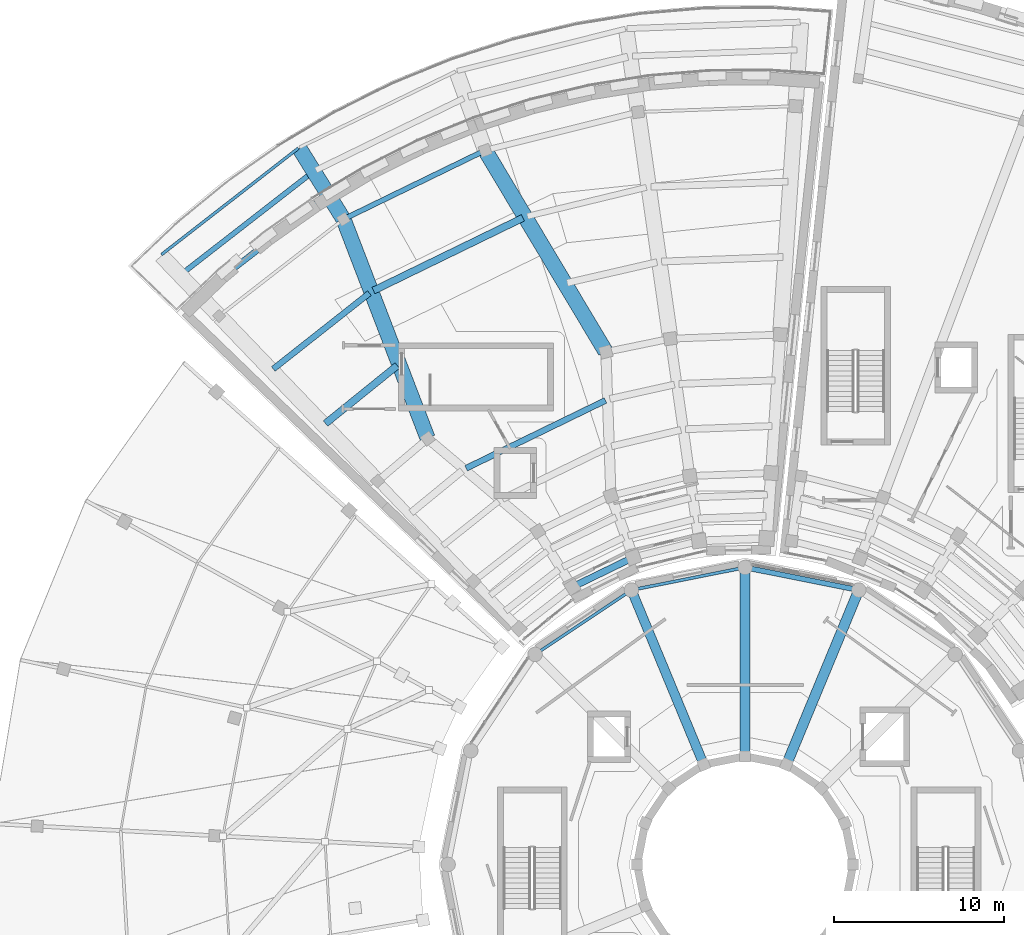
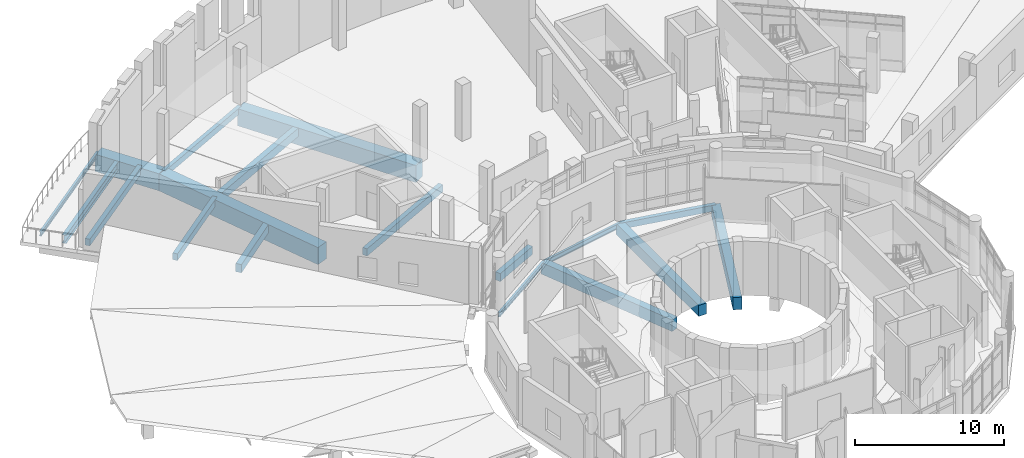
# One storey, part 14 of 49: 18 beams.
"""IFC4 building model written with IfcOpenShell, lengths in metres."""

from ifc_helpers import new_model, si_unit, direction, frame, origin, origin_2d, place, context, subcontext, project, spatial, rectangle, i_section, extrude, material, material_profile, profile_set, type_object, element, save


model = new_model("IFC4")

# Units and contexts
model_context = context("Model", 3, precision=1e-05, world=origin(), true_north=direction((0.0, 1.0)))
body_context = subcontext(model_context, "Body", "Model", "MODEL_VIEW")
ifc_project = project(units=[si_unit("LENGTHUNIT", "METRE"), si_unit("AREAUNIT", "SQUARE_METRE"), si_unit("VOLUMEUNIT", "CUBIC_METRE"), si_unit("PLANEANGLEUNIT", "RADIAN"), si_unit("MASSUNIT", "GRAM", prefix="KILO")], contexts=[model_context])

# Site, building, storey
site_placement = place(None, origin())
site = spatial("IfcSite", under=ifc_project, at=site_placement, CompositionType="ELEMENT")
building_placement = place(site_placement, origin())
building = spatial("IfcBuilding", under=site, at=building_placement, Name="Soyqirgoq Riverine Aquarium", CompositionType="ELEMENT")
storey_placement = place(building_placement, frame((0.0, 0.0, 15.0)))
storey = spatial("IfcBuildingStorey", under=building, at=storey_placement, Name="L04", CompositionType="ELEMENT", Elevation=15.0)

# Beams
ifc_material_1 = material(Name="Concrete C40/50", Category="concrete")
ifc_material_profile_1 = material_profile(ifc_material_1, rectangle(XDim=0.35009765625, YDim=0.60009765625, at=origin_2d()), Name="RC 350x600")
ifc_profile_set_1 = profile_set([ifc_material_profile_1], Name="Concrete C40/50")
beam_type_1 = type_object("IfcBeamType", Name="Beam_RC_350x600", PredefinedType="JOIST", material=ifc_profile_set_1)
beam_1_placement = place(storey_placement, frame((47.791748046875, 84.25927734375, -0.580078125), z_axis=(-0.899175148102, -0.437588908722, 0.0), x_axis=(0.437588908722, -0.899175148102, 0.0)))
element("IfcBeam", 1, at=beam_1_placement, inside=storey, type_object=beam_type_1, Name="V4 L04 Secondary Floor Joist 0717", PredefinedType="JOIST", context=body_context, shape_type="SweptSolid", body=[
    extrude(rectangle(XDim=0.35009765625, YDim=0.60009765625, at=origin_2d()), origin(), (0.0, 0.0, 1.0), 9.09521484375),
])
ifc_material_2 = material(Name="Concrete C40/50", Category="concrete")
ifc_material_profile_2 = material_profile(ifc_material_2, rectangle(XDim=0.39990234375, YDim=0.64990234375, at=origin_2d()), Name="RC 400x650")
ifc_profile_set_2 = profile_set([ifc_material_profile_2], Name="Concrete C40/50")
beam_type_2 = type_object("IfcBeamType", Name="Beam_RC_400x650", PredefinedType="BEAM", material=ifc_profile_set_2)
beam_2_placement = place(storey_placement, frame((49.38818359375, 75.020263671875, -0.60498046875), z_axis=(-0.899182237982, -0.437574339852, 0.0), x_axis=(0.437574339852, -0.899182237982, 0.0)))
element("IfcBeam", 2, at=beam_2_placement, inside=storey, type_object=beam_type_2, Name="V4 L04 Wedge Chord Beam 0698", PredefinedType="BEAM", context=body_context, shape_type="SweptSolid", body=[
    extrude(rectangle(XDim=0.39990234375, YDim=0.64990234375, at=origin_2d()), origin(), (0.0, 0.0, 1.0), 3.88037109375),
])
ifc_material_3 = material(Name="Concrete C40/50", Category="concrete")
ifc_material_profile_3 = material_profile(ifc_material_3, rectangle(XDim=0.419921875, YDim=0.679931640625, at=origin_2d()), Name="RC 420x680")
ifc_profile_set_3 = profile_set([ifc_material_profile_3], Name="Concrete C40/50")
beam_type_3 = type_object("IfcBeamType", Name="Beam_RC_420x680", PredefinedType="BEAM", material=ifc_profile_set_3)
beam_3_placement = place(storey_placement, frame((42.94287109375, 94.98583984375, -0.6201171875), z_axis=(-0.899181906839, -0.437575020326, 0.0), x_axis=(0.437575020326, -0.899181906839, 0.0)))
element("IfcBeam", 3, at=beam_3_placement, inside=storey, type_object=beam_type_3, Name="V4 L04 Secondary Floor Joist 0727", PredefinedType="BEAM", context=body_context, shape_type="SweptSolid", body=[
    extrude(rectangle(XDim=0.419921875, YDim=0.679931640625, at=origin_2d()), origin(), (0.0, 0.0, 1.0), 9.762939453125),
])
beam_4_placement = place(storey_placement, frame((35.5625, 86.310302734375, -0.6201171875), z_axis=(-0.777984399039, -0.628283594288, 0.0), x_axis=(0.628283594288, -0.777984399039, 0.0)))
element("IfcBeam", 4, at=beam_4_placement, inside=storey, type_object=beam_type_3, Name="V4 L04 Secondary Floor Joist 0728", PredefinedType="BEAM", context=body_context, shape_type="SweptSolid", body=[
    extrude(rectangle(XDim=0.419921875, YDim=0.679931640625, at=origin_2d()), origin(), (0.0, 0.0, 1.0), 5.416015625),
])
ifc_material_4 = material(Name="Concrete C40/50", Category="concrete")
ifc_material_profile_4 = material_profile(ifc_material_4, rectangle(XDim=0.550048828125, YDim=0.949951171875, at=origin_2d()), Name="RC 550x950")
ifc_profile_set_4 = profile_set([ifc_material_profile_4], Name="Concrete C40/50")
beam_type_4 = type_object("IfcBeamType", Name="Girder_RC_550x950", PredefinedType="BEAM", material=ifc_profile_set_4)
beam_5_placement = place(storey_placement, frame((53.566162109375, 62.875732421875, -0.824951171875), z_axis=(-0.382683908742, 0.923879335189, 0.0), x_axis=(-0.923879335189, -0.382683908742, 0.0)))
element("IfcBeam", 5, at=beam_5_placement, inside=storey, type_object=beam_type_4, Name="V1 L04 Gallery Radial Beam 0098", PredefinedType="BEAM", context=body_context, shape_type="SweptSolid", body=[
    extrude(rectangle(XDim=0.550048828125, YDim=0.949951171875, at=origin_2d()), origin(), (0.0, 0.0, 1.0), 11.080322265625),
])
ifc_material_5 = material(Name="Concrete C40/50", Category="concrete")
ifc_material_profile_5 = material_profile(ifc_material_5, rectangle(XDim=0.60009765625, YDim=1.0, at=origin_2d()), Name="RC 600x1000")
ifc_profile_set_5 = profile_set([ifc_material_profile_5], Name="Concrete C40/50")
beam_type_5 = type_object("IfcBeamType", Name="Girder_RC_600x1000", PredefinedType="BEAM", material=ifc_profile_set_5)
beam_6_placement = place(storey_placement, frame((58.433837890625, 62.875732421875, -0.85009765625), z_axis=(0.382683908742, 0.923879335189, 0.0), x_axis=(-0.923879335189, 0.382683908742, 0.0)))
element("IfcBeam", 6, at=beam_6_placement, inside=storey, type_object=beam_type_5, Name="V1 L04 Gallery Radial Beam 0094", PredefinedType="BEAM", context=body_context, shape_type="SweptSolid", body=[
    extrude(rectangle(XDim=0.60009765625, YDim=1.0, at=origin_2d()), origin(), (0.0, 0.0, 1.0), 11.080322265625),
])
ifc_material_6 = material(Name="Concrete C40/50", Category="concrete")
ifc_material_profile_6 = material_profile(ifc_material_6, rectangle(XDim=0.60009765625, YDim=0.89990234375, at=origin_2d()), Name="RC 600x900")
ifc_profile_set_6 = profile_set([ifc_material_profile_6], Name="Concrete C40/50")
beam_type_6 = type_object("IfcBeamType", Name="Girder_RC_600x900", PredefinedType="BEAM", material=ifc_profile_set_6)
beam_7_placement = place(storey_placement, frame((56.0, 63.360107421875, -0.800048828125), z_axis=(0.0, 1.0, 0.0), x_axis=(-1.0, 0.0, 0.0)))
element("IfcBeam", 7, at=beam_7_placement, inside=storey, type_object=beam_type_6, Name="V1 L04 Gallery Radial Beam 0096", PredefinedType="BEAM", context=body_context, shape_type="SweptSolid", body=[
    extrude(rectangle(XDim=0.60009765625, YDim=0.89990234375, at=origin_2d()), origin(), (0.0, 0.0, 1.0), 11.079833984375),
])
ifc_material_7 = material(Name="Concrete C40/50", Category="concrete")
ifc_material_profile_7 = material_profile(ifc_material_7, rectangle(XDim=0.300048828125, YDim=0.5, at=origin_2d()), Name="RC 300x500")
ifc_profile_set_7 = profile_set([ifc_material_profile_7], Name="Concrete C40/50")
beam_type_7 = type_object("IfcBeamType", Name="Spandrel_RC_300x500", PredefinedType="SPANDREL", material=ifc_profile_set_7)
beam_8_placement = place(storey_placement, frame((62.658203125, 73.12548828125, -0.60009765625), z_axis=(-0.980784073274, 0.195096390568, 0.0), x_axis=(-0.195096390568, -0.980784073274, 0.0)))
element("IfcBeam", 8, at=beam_8_placement, inside=storey, type_object=beam_type_7, Name="V1 L04 Drum Spandrel Beam 0093", PredefinedType="SPANDREL", context=body_context, shape_type="SweptSolid", body=[
    extrude(rectangle(XDim=0.300048828125, YDim=0.5, at=origin_2d()), origin(), (0.0, 0.0, 1.0), 6.768798828125),
])
beam_9_placement = place(storey_placement, frame((40.683837890625, 98.935302734375, -0.530029296875), z_axis=(-0.89918008806, -0.437578757753, 0.0), x_axis=(0.437578757753, -0.89918008806, 0.0)))
element("IfcBeam", 9, at=beam_9_placement, inside=storey, type_object=beam_type_7, Name="V4 L04 Wedge Chord Beam 0732", PredefinedType="SPANDREL", context=body_context, shape_type="SweptSolid", body=[
    extrude(rectangle(XDim=0.300048828125, YDim=0.5, at=origin_2d()), origin(), (0.0, 0.0, 1.0), 9.15673828125),
])
ifc_material_8 = material(Name="Structural steel S355", Category="steel")
ifc_material_profile_8 = material_profile(ifc_material_8, i_section(OverallWidth=0.169921875, OverallDepth=0.360107421875, WebThickness=0.008056640625, FlangeThickness=0.0126953125, FilletRadius=0.01806640625, at=origin_2d()), Name="IPE 360")
ifc_profile_set_8 = profile_set([ifc_material_profile_8], Name="Structural steel S355")
beam_type_8 = type_object("IfcBeamType", Name="Spandrel_Steel_IPE360", PredefinedType="SPANDREL", material=ifc_profile_set_8)
beam_10_placement = place(storey_placement, frame((49.3056640625, 73.110595703125, -0.530029296875), z_axis=(-0.83147831173, -0.555557213186, 0.0), x_axis=(0.555557213186, -0.83147831173, 0.0)))
element("IfcBeam", 10, at=beam_10_placement, inside=storey, type_object=beam_type_8, Name="V1 L04 Drum Spandrel Beam 0097", PredefinedType="SPANDREL", context=body_context, shape_type="SweptSolid", body=[
    extrude(i_section(OverallWidth=0.169921875, OverallDepth=0.360107421875, WebThickness=0.008056640625, FlangeThickness=0.0126953125, FilletRadius=0.01806640625, at=origin_2d()), origin(), (0.0, 0.0, 1.0), 6.768798828125),
])
beam_11_placement = place(storey_placement, frame((29.75, 99.078369140625, -0.4599609375), z_axis=(-0.78962066325, -0.613595313027, 0.0), x_axis=(0.613595313027, -0.78962066325, 0.0)))
element("IfcBeam", 11, at=beam_11_placement, inside=storey, type_object=beam_type_8, Name="V4 L04 Wedge Chord Beam 0745", PredefinedType="SPANDREL", context=body_context, shape_type="SweptSolid", body=[
    extrude(i_section(OverallWidth=0.169921875, OverallDepth=0.360107421875, WebThickness=0.008056640625, FlangeThickness=0.0126953125, FilletRadius=0.01806640625, at=origin_2d()), origin(), (0.0, 0.0, 1.0), 10.18310546875),
])
ifc_material_9 = material(Name="Structural steel S355", Category="steel")
ifc_material_profile_9 = material_profile(ifc_material_9, i_section(OverallWidth=0.179931640625, OverallDepth=0.39990234375, WebThickness=0.008544921875, FlangeThickness=0.013427734375, FilletRadius=0.02099609375, at=origin_2d()), Name="IPE 400")
ifc_profile_set_9 = profile_set([ifc_material_profile_9], Name="Structural steel S355")
beam_type_9 = type_object("IfcBeamType", Name="Spandrel_Steel_IPE400", PredefinedType="SPANDREL", material=ifc_profile_set_9)
beam_12_placement = place(storey_placement, frame((55.98046875, 74.446044921875, -0.550048828125), z_axis=(-0.980784073274, -0.195096390568, 0.0), x_axis=(0.195096390568, -0.980784073274, 0.0)))
element("IfcBeam", 12, at=beam_12_placement, inside=storey, type_object=beam_type_9, Name="V1 L04 Drum Spandrel Beam 0095", PredefinedType="SPANDREL", context=body_context, shape_type="SweptSolid", body=[
    extrude(i_section(OverallWidth=0.179931640625, OverallDepth=0.39990234375, WebThickness=0.008544921875, FlangeThickness=0.013427734375, FilletRadius=0.02099609375, at=origin_2d()), origin(), (0.0, 0.0, 1.0), 6.768798828125),
])
ifc_material_10 = material(Name="Structural steel S355", Category="steel")
ifc_material_profile_10 = material_profile(ifc_material_10, i_section(OverallWidth=0.300048828125, OverallDepth=0.68994140625, WebThickness=0.014404296875, FlangeThickness=0.027099609375, FilletRadius=0.027099609375, at=origin_2d()), Name="HEA 700")
ifc_profile_set_10 = profile_set([ifc_material_profile_10], Name="Structural steel S355")
beam_type_10 = type_object("IfcBeamType", Name="SteelBeam_HEA700", PredefinedType="BEAM", material=ifc_profile_set_10)
beam_13_placement = place(storey_placement, frame((30.5419921875, 97.63623046875, -0.625), z_axis=(-0.789621475639, -0.613594267582, 0.0), x_axis=(0.613594267582, -0.789621475639, 0.0)))
element("IfcBeam", 13, at=beam_13_placement, inside=storey, type_object=beam_type_10, Name="V4 L04 Secondary Floor Joist 0741", PredefinedType="BEAM", context=body_context, shape_type="SweptSolid", body=[
    extrude(i_section(OverallWidth=0.300048828125, OverallDepth=0.68994140625, WebThickness=0.014404296875, FlangeThickness=0.027099609375, FilletRadius=0.027099609375, at=origin_2d()), origin(), (0.0, 0.0, 1.0), 9.664306640625),
])
ifc_material_11 = material(Name="Concrete C40/50", Category="concrete")
ifc_material_profile_11 = material_profile(ifc_material_11, rectangle(XDim=0.35009765625, YDim=0.550048828125, at=origin_2d()), Name="RC 350x550")
ifc_profile_set_11 = profile_set([ifc_material_profile_11], Name="Concrete C40/50")
beam_type_11 = type_object("IfcBeamType", Name="TBeam_RC_350x550", PredefinedType="T_BEAM", material=ifc_profile_set_11)
beam_14_placement = place(storey_placement, frame((33.928466796875, 90.56591796875, -0.554931640625), z_axis=(-0.785202231004, -0.619239417694, 0.0), x_axis=(0.619239417694, -0.785202231004, 0.0)))
element("IfcBeam", 14, at=beam_14_placement, inside=storey, type_object=beam_type_11, Name="V4 L04 Secondary Floor Joist 0729", PredefinedType="T_BEAM", context=body_context, shape_type="SweptSolid", body=[
    extrude(rectangle(XDim=0.35009765625, YDim=0.550048828125, at=origin_2d()), origin(), (0.0, 0.0, 1.0), 7.1962890625),
])
beam_15_placement = place(storey_placement, frame((31.4052734375, 96.24951171875, -0.554931640625), z_axis=(-0.789610111246, -0.6136088919, 0.0), x_axis=(0.6136088919, -0.789610111246, 0.0)))
element("IfcBeam", 15, at=beam_15_placement, inside=storey, type_object=beam_type_11, Name="V4 L04 Secondary Floor Joist 0740", PredefinedType="T_BEAM", context=body_context, shape_type="SweptSolid", body=[
    extrude(rectangle(XDim=0.35009765625, YDim=0.550048828125, at=origin_2d()), origin(), (0.0, 0.0, 1.0), 9.325927734375),
])
ifc_material_12 = material(Name="Waterproof concrete C45/55", Category="concrete")
ifc_material_profile_12 = material_profile(ifc_material_12, rectangle(XDim=0.89990234375, YDim=1.39990234375, at=origin_2d()), Name="RC 900x1400")
ifc_profile_set_12 = profile_set([ifc_material_profile_12], Name="Waterproof concrete C45/55")
beam_type_12 = type_object("IfcBeamType", Name="TransferGirder_900x1400", PredefinedType="BEAM", material=ifc_profile_set_12)
for number, where, z_axis, x_axis, name in (
    (16, (47.7939453125, 87.1513671875, -0.97998046875), (-0.513518519238, 0.858078510627, 0.0), (-0.858078510627, -0.513518519238, 0.0), "V4 L04 Wedge Radial Girder 0686"),
    (17, (37.336181640625, 82.06201171875, -0.97998046875), (-0.358396623266, 0.933569419182, 0.0), (-0.933569419182, -0.358396623266, 0.0), "V4 L04 Wedge Radial Girder 0690"),
):
    element("IfcBeam", number, at=place(storey_placement, frame(where, z_axis=z_axis, x_axis=x_axis)), inside=storey, type_object=beam_type_12, Name=name, PredefinedType="BEAM", context=body_context, shape_type="SweptSolid", body=[
        extrude(rectangle(XDim=0.89990234375, YDim=1.39990234375, at=origin_2d()), origin(), (0.0, 0.0, 1.0), 13.70849609375),
    ])
beam_16_placement = place(storey_placement, frame((32.37890625, 94.948974609375, -0.97998046875), z_axis=(-0.5284325153, 0.848975309873, 0.0), x_axis=(-0.848975309873, -0.5284325153, 0.0)))
element("IfcBeam", 18, at=beam_16_placement, inside=storey, type_object=beam_type_12, Name="V4 L04 Wedge Radial Girder 0691", PredefinedType="BEAM", context=body_context, shape_type="SweptSolid", body=[
    extrude(rectangle(XDim=0.89990234375, YDim=1.39990234375, at=origin_2d()), origin(), (0.0, 0.0, 1.0), 4.85009765625),
])

save(model, "model.ifc")
